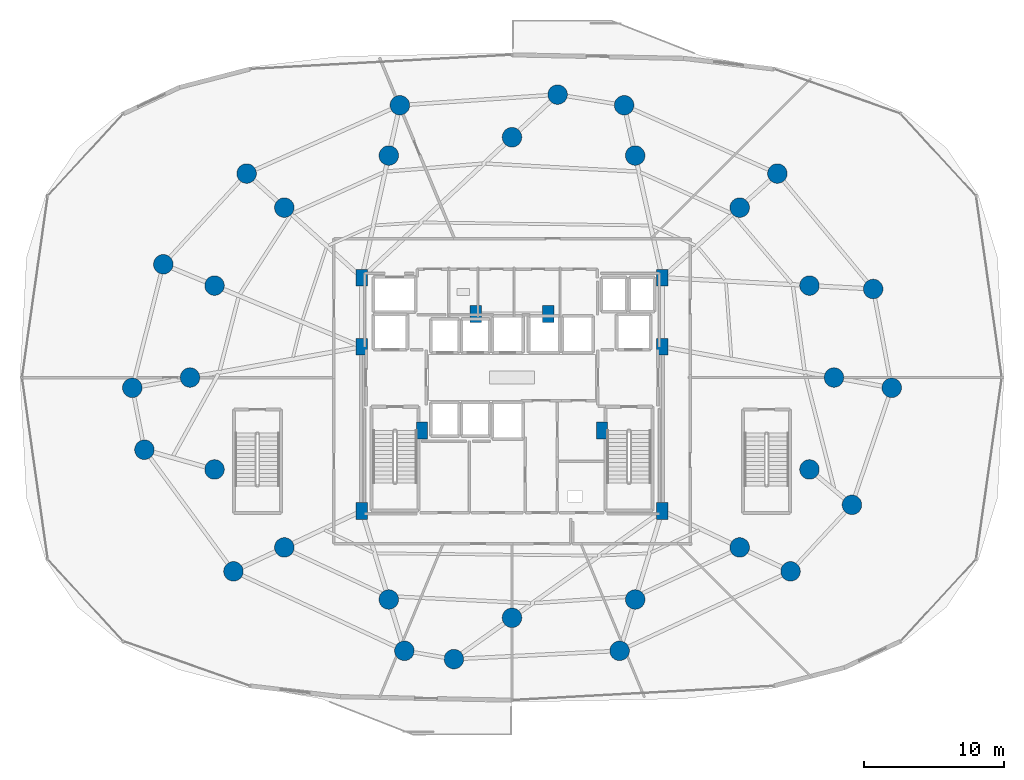
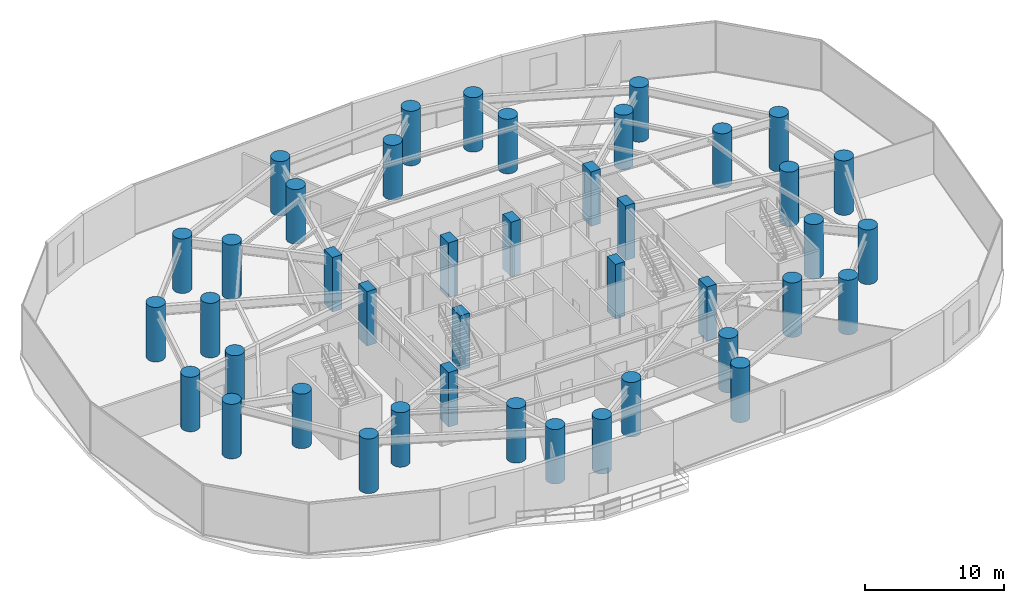
# One storey, part 1 of 30: 42 columns.
"""IFC4 building model written with IfcOpenShell, lengths in metres."""

from ifc_helpers import new_model, si_unit, direction, frame, origin, origin_2d, place, context, subcontext, project, spatial, rectangle, circle, extrude, material, material_profile, profile_set, type_object, element, save


model = new_model("IFC4")

# Units and contexts
model_context = context("Model", 3, precision=1e-05, world=origin(), true_north=direction((0.0, 1.0)))
body_context = subcontext(model_context, "Body", "Model", "MODEL_VIEW")
ifc_project = project(units=[si_unit("LENGTHUNIT", "METRE"), si_unit("AREAUNIT", "SQUARE_METRE"), si_unit("VOLUMEUNIT", "CUBIC_METRE"), si_unit("PLANEANGLEUNIT", "RADIAN"), si_unit("MASSUNIT", "GRAM", prefix="KILO")], contexts=[model_context])

# Site, building, storey
site_placement = place(None, origin())
site = spatial("IfcSite", under=ifc_project, at=site_placement, CompositionType="ELEMENT")
building_placement = place(site_placement, origin())
building = spatial("IfcBuilding", under=site, at=building_placement, Name="Vorneva Point Tower", CompositionType="ELEMENT")
storey_placement = place(building_placement, frame((0.0, 0.0, 9.60009765625)))
storey = spatial("IfcBuildingStorey", under=building, at=storey_placement, Name="L02", CompositionType="ELEMENT", Elevation=9.60009765625)

# Columns
ifc_material = material(Name="Concrete B60 (C50/60)", Category="concrete")
ifc_material_profile_1 = material_profile(ifc_material, circle(Radius=0.699951171875, at=origin_2d()), Name="RC-CIRC 1400")
ifc_profile_set_1 = profile_set([ifc_material_profile_1], Name="Concrete B60 (C50/60)")
column_type_1 = type_object("IfcColumnType", Name="COL-RC1400C", PredefinedType="COLUMN", material=ifc_profile_set_1)
for number, where, z_axis, x_axis, name in (
    (1, (61.050048828125, 26.0, 0.0), (0.0, 0.0, 1.0), (1.0, 0.0, 0.0), "L02 Perimeter Column P01"),
    (2, (59.29541015625, 32.582275390625, 0.0), (0.0, 0.0, 1.0), (0.923879532511, 0.382683432365, 0.0), "L02 Perimeter Column P02"),
    (3, (54.298828125, 38.162109375, 0.0), (0.0, 0.0, 1.0), (0.707106781187, 0.707106781187, 0.0), "L02 Perimeter Column P03"),
    (4, (46.82080078125, 41.890625, 0.0), (0.0, 0.0, 1.0), (0.382683432365, 0.923879532511, 0.0), "L02 Perimeter Column P04"),
    (5, (38.0, 43.199951171875, 0.0), (0.0, 0.0, 1.0), (0.0, 1.0, 0.0), "L02 Perimeter Column P05"),
    (6, (29.17919921875, 41.890625, 0.0), (0.0, 0.0, 1.0), (-0.382683432365, 0.923879532511, 0.0), "L02 Perimeter Column P06"),
    (7, (21.701171875, 38.162109375, 0.0), (0.0, 0.0, 1.0), (-0.707106781187, 0.707106781187, 0.0), "L02 Perimeter Column P07"),
    (8, (16.70458984375, 32.582275390625, 0.0), (0.0, 0.0, 1.0), (-0.923879532511, 0.382683432365, 0.0), "L02 Perimeter Column P08"),
    (9, (14.949951171875, 26.0, 0.0), (0.0, 0.0, 1.0), (-1.0, 0.0, 0.0), "L02 Perimeter Column P09"),
    (10, (16.70458984375, 19.417724609375, 0.0), (0.0, 0.0, 1.0), (-0.923879532511, -0.382683432365, 0.0), "L02 Perimeter Column P10"),
    (11, (21.701171875, 13.837890625, 0.0), (0.0, 0.0, 1.0), (-0.707106781187, -0.707106781187, 0.0), "L02 Perimeter Column P11"),
    (12, (29.17919921875, 10.109375, 0.0), (0.0, 0.0, 1.0), (-0.382683432365, -0.923879532511, 0.0), "L02 Perimeter Column P12"),
    (13, (38.0, 8.800048828125, 0.0), (0.0, 0.0, 1.0), (0.0, -1.0, 0.0), "L02 Perimeter Column P13"),
    (14, (46.82080078125, 10.109375, 0.0), (0.0, 0.0, 1.0), (0.382683432365, -0.923879532511, 0.0), "L02 Perimeter Column P14"),
    (15, (54.298828125, 13.837890625, 0.0), (0.0, 0.0, 1.0), (0.707106781187, -0.707106781187, 0.0), "L02 Perimeter Column P15"),
    (16, (59.29541015625, 19.417724609375, 0.0), (0.0, 0.0, 1.0), (0.923879532511, -0.382683432365, 0.0), "L02 Perimeter Column P16"),
    (17, (65.18212890625, 25.260986328125, 0.0), (0.0, 0.0, 1.0), (1.0, 0.0, 0.0), "L02 Outer Zone Column OP01"),
    (18, (63.8544921875, 32.336669921875, 0.0), (0.0, 0.0, 1.0), (0.923879532511, 0.382683432365, 0.0), "L02 Outer Zone Column OP02"),
    (19, (56.997314453125, 40.599853515625, 0.0), (0.0, 0.0, 1.0), (0.707106781187, 0.707106781187, 0.0), "L02 Outer Zone Column OP03"),
    (20, (46.026123046875, 45.49169921875, 0.0), (0.0, 0.0, 1.0), (0.382683432365, 0.923879532511, 0.0), "L02 Outer Zone Column OP04"),
    (21, (41.26513671875, 46.25244140625, 0.0), (0.0, 0.0, 1.0), (0.0, 1.0, 0.0), "L02 Outer Zone Column OP05"),
    (22, (29.973876953125, 45.49169921875, 0.0), (0.0, 0.0, 1.0), (-0.382683432365, 0.923879532511, 0.0), "L02 Outer Zone Column OP06"),
    (23, (19.002685546875, 40.599853515625, 0.0), (0.0, 0.0, 1.0), (-0.707106781187, 0.707106781187, 0.0), "L02 Outer Zone Column OP07"),
    (24, (13.0390625, 34.10546875, 0.0), (0.0, 0.0, 1.0), (-0.923879532511, 0.382683432365, 0.0), "L02 Outer Zone Column OP08"),
    (25, (10.81787109375, 25.260986328125, 0.0), (0.0, 0.0, 1.0), (-1.0, 0.0, 0.0), "L02 Outer Zone Column OP09"),
    (26, (11.68798828125, 20.82958984375, 0.0), (0.0, 0.0, 1.0), (-0.923879532511, -0.382683432365, 0.0), "L02 Outer Zone Column OP10"),
    (27, (18.061279296875, 12.124267578125, 0.0), (0.0, 0.0, 1.0), (-0.707106781187, -0.707106781187, 0.0), "L02 Outer Zone Column OP11"),
    (28, (30.296875, 6.435302734375, 0.0), (0.0, 0.0, 1.0), (-0.382683432365, -0.923879532511, 0.0), "L02 Outer Zone Column OP12"),
    (29, (33.84033203125, 5.83984375, 0.0), (0.0, 0.0, 1.0), (0.0, -1.0, 0.0), "L02 Outer Zone Column OP13"),
    (30, (45.703125, 6.435302734375, 0.0), (0.0, 0.0, 1.0), (0.382683432365, -0.923879532511, 0.0), "L02 Outer Zone Column OP14"),
    (31, (57.938720703125, 12.124267578125, 0.0), (0.0, 0.0, 1.0), (0.707106781187, -0.707106781187, 0.0), "L02 Outer Zone Column OP15"),
    (32, (62.3349609375, 16.886474609375, 0.0), (0.0, 0.0, 1.0), (0.923879532511, -0.382683432365, 0.0), "L02 Outer Zone Column OP16"),
):
    element("IfcColumn", number, at=place(storey_placement, frame(where, z_axis=z_axis, x_axis=x_axis)), inside=storey, type_object=column_type_1, Name=name, PredefinedType="COLUMN", context=body_context, shape_type="SweptSolid", body=[
        extrude(circle(Radius=0.699951171875, at=origin_2d()), origin(), (0.0, 0.0, 1.0), 4.7998046875),
    ])
ifc_material_profile_2 = material_profile(ifc_material, rectangle(XDim=0.800048828125, YDim=1.199951171875, at=origin_2d()), Name="RC-PIL 1200x800")
ifc_profile_set_2 = profile_set([ifc_material_profile_2], Name="Concrete B60 (C50/60)")
column_type_2 = type_object("IfcColumnType", Name="PIL-RC1200x800", PredefinedType="PILASTER", material=ifc_profile_set_2)
for number, where, z_axis, x_axis, name in (
    (33, (27.25, 16.449951171875, 0.0), (0.0, 0.0, 1.0), (1.0, 0.0, 0.0), "L02 Core Pilaster CP1"),
    (34, (27.25, 28.199951171875, 0.0), (0.0, 0.0, 1.0), (1.0, 0.0, 0.0), "L02 Core Pilaster CP2"),
    (35, (27.25, 33.14990234375, 0.0), (0.0, 0.0, 1.0), (1.0, 0.0, 0.0), "L02 Core Pilaster CP3"),
    (36, (31.550048828125, 22.199951171875, 0.0), (0.0, 0.0, 1.0), (1.0, 0.0, 0.0), "L02 Core Pilaster CP4"),
    (37, (48.75, 33.14990234375, 0.0), (0.0, 0.0, 1.0), (1.0, 0.0, 0.0), "L02 Core Pilaster CP5"),
    (38, (48.75, 28.199951171875, 0.0), (0.0, 0.0, 1.0), (1.0, 0.0, 0.0), "L02 Core Pilaster CP6"),
    (39, (48.75, 16.449951171875, 0.0), (0.0, 0.0, 1.0), (1.0, 0.0, 0.0), "L02 Core Pilaster CP7"),
    (40, (44.449951171875, 22.199951171875, 0.0), (0.0, 0.0, 1.0), (1.0, 0.0, 0.0), "L02 Core Pilaster CP8"),
    (41, (35.39990234375, 30.550048828125, 0.0), (0.0, 0.0, 1.0), (1.0, 0.0, 0.0), "L02 Core Pilaster CP9"),
    (42, (40.60009765625, 30.550048828125, 0.0), (0.0, 0.0, 1.0), (1.0, 0.0, 0.0), "L02 Core Pilaster CP10"),
):
    element("IfcColumn", number, at=place(storey_placement, frame(where, z_axis=z_axis, x_axis=x_axis)), inside=storey, type_object=column_type_2, Name=name, PredefinedType="PILASTER", context=body_context, shape_type="SweptSolid", body=[
        extrude(rectangle(XDim=0.800048828125, YDim=1.199951171875, at=origin_2d()), origin(), (0.0, 0.0, 1.0), 4.7998046875),
    ])

save(model, "model.ifc")
